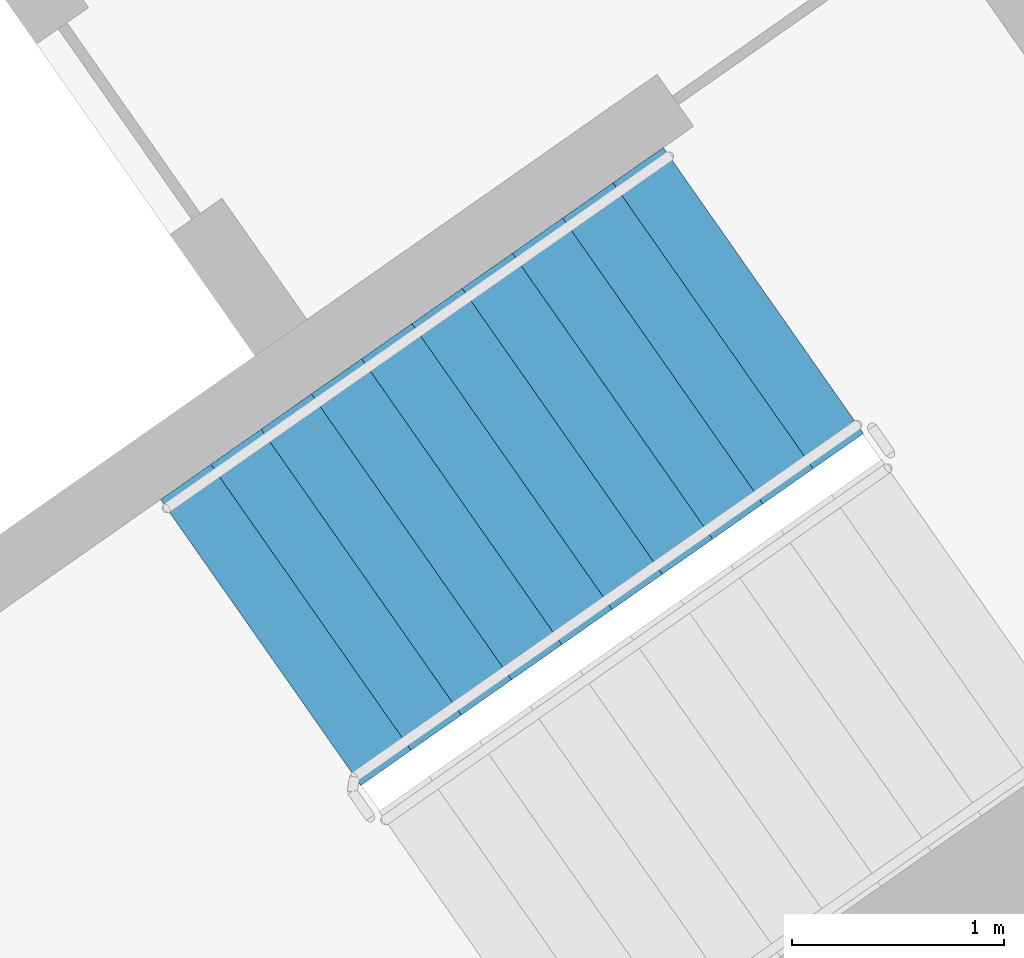
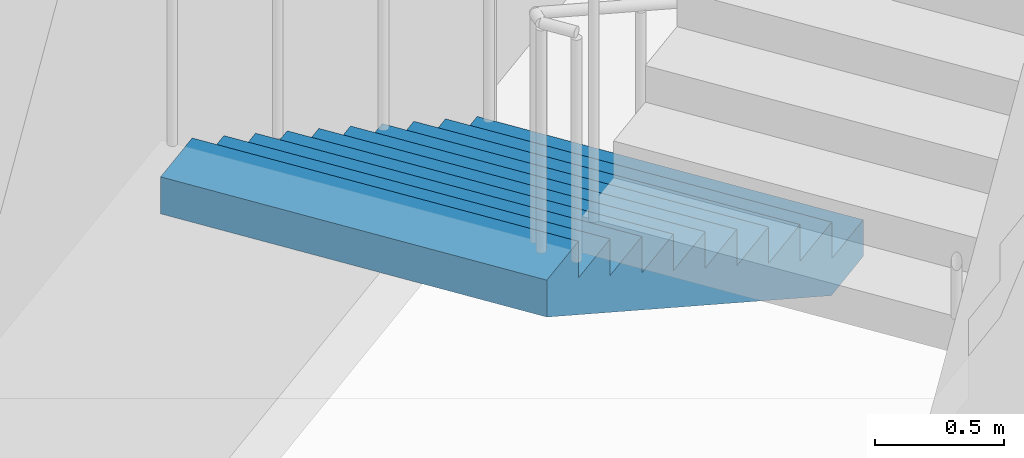
# One storey, part 15 of 31: 1 stair flight, 1 element without a shape of its own.
"""IFC4 building model written with IfcOpenShell, lengths in metres."""

import ifcopenshell
import ifcopenshell.guid

model = None  # the IFC model being written
_history = None  # IfcOwnerHistory: only IFC2X3 demands one
_inside = {}  # id of a spatial element -> (the spatial element, [elements in it])
_under = {}  # id of a project, library or spatial element -> (it, [spatial elements below it])
_declared = {}  # id of a project -> (the project, [libraries it declares])
_typed = {}  # id of a type object -> (the type object, [elements of that type])
_made_of = {}  # id of a material, layer set ... -> (it, [elements and type objects made of it])


def new_model(schema):
    """Start an empty IFC model of exactly this schema.

    Asked for "IFC4X3", IfcOpenShell would pick the latest addendum, in which some entities
    have other attributes; the version numbers below select the first issue.
    IFC2X3 requires an IfcOwnerHistory on every rooted entity: one is made here for all.
    """
    global model, _history
    if schema == "IFC4X3":
        model = ifcopenshell.file(schema_version=(4, 3, 0, 0))
    else:
        model = ifcopenshell.file(schema=schema)
    _inside.clear()
    _under.clear()
    _declared.clear()
    _typed.clear()
    _made_of.clear()
    _history = None
    if model.schema == "IFC2X3":
        org = make("IfcOrganization", Name="unknown")
        user = make(
            "IfcPersonAndOrganization",
            ThePerson=make("IfcPerson", FamilyName="unknown"),
            TheOrganization=org,
        )
        app = make(
            "IfcApplication",
            ApplicationDeveloper=org,
            Version="unknown",
            ApplicationFullName="unknown",
            ApplicationIdentifier="unknown",
        )
        _history = make(
            "IfcOwnerHistory",
            OwningUser=user,
            OwningApplication=app,
            ChangeAction="ADDED",
            CreationDate=0,
        )
    return model


def make(cls, **values):
    """One entity of the class cls with the attributes given. An attribute that is None is left unset."""
    return model.create_entity(
        cls, **{name: value for name, value in values.items() if value is not None}
    )


def rooted(cls, **values):
    """An entity with a GlobalId (a new one), such as an element, a storey or a relation."""
    return make(cls, GlobalId=ifcopenshell.guid.new(), OwnerHistory=_history, **values)


def si_unit(unit_type, name, prefix=None):
    """IfcSIUnit, for example si_unit("LENGTHUNIT", "METRE", prefix="MILLI")."""
    return make("IfcSIUnit", UnitType=unit_type, Prefix=prefix, Name=name)


def assignment(units):
    """IfcUnitAssignment: the units of a project."""
    return None if units is None else make("IfcUnitAssignment", Units=units)


def point(xyz):
    """IfcCartesianPoint."""
    return None if xyz is None else make("IfcCartesianPoint", Coordinates=xyz)


def direction(xyz):
    """IfcDirection."""
    return None if xyz is None else make("IfcDirection", DirectionRatios=xyz)


def frame(location, z_axis=None, x_axis=None):
    """IfcAxis2Placement3D, a coordinate frame: its origin and axes. An axis left out is left unset."""
    return make(
        "IfcAxis2Placement3D",
        Location=point(location),
        Axis=direction(z_axis),
        RefDirection=direction(x_axis),
    )


def origin():
    """The frame at (0, 0, 0) with its axes left unset."""
    return frame((0.0, 0.0, 0.0))


def place(relative_to, where):
    """IfcLocalPlacement: puts the frame where relative to a parent placement (None: the world)."""
    return make(
        "IfcLocalPlacement", PlacementRelTo=relative_to, RelativePlacement=where
    )


def context(
    kind, dimensions, precision=None, world=None, true_north=None, identifier=None
):
    """IfcGeometricRepresentationContext, for example the 3D "Model" context."""
    return make(
        "IfcGeometricRepresentationContext",
        ContextIdentifier=identifier,
        ContextType=kind,
        CoordinateSpaceDimension=dimensions,
        Precision=precision,
        WorldCoordinateSystem=world,
        TrueNorth=true_north,
    )


def subcontext(parent, identifier, kind, view, scale=None):
    """IfcGeometricRepresentationSubContext, for example "Body" below "Model"."""
    return make(
        "IfcGeometricRepresentationSubContext",
        ContextIdentifier=identifier,
        ContextType=kind,
        ParentContext=parent,
        TargetScale=scale,
        TargetView=view,
    )


def project(units=None, contexts=None):
    """IfcProject with its units and contexts."""
    return rooted(
        "IfcProject",
        Name="project",
        RepresentationContexts=contexts,
        UnitsInContext=assignment(units),
    )


def spatial(cls, under=None, at=None, **own):
    """A site, building, storey or space (cls), placed at a placement, below another one or the project."""
    s = rooted(cls, ObjectPlacement=at, **own)
    if under is not None:
        _under.setdefault(under.id(), (under, []))[1].append(s)
    return s


def faces_of(points, faces, orient=None, outer=None):
    """IfcFace entities. A face is a list of loops; a loop is a list of indices into points, from 0.

    orient and outer hold one flag for each loop. By default every Orientation is true, the
    first loop of a face is its IfcFaceOuterBound and the others are IfcFaceBound.
    """
    made = []
    for i, loops in enumerate(faces):
        bounds = []
        for j, loop in enumerate(loops):
            is_outer = j == 0 if outer is None else outer[i][j]
            bounds.append(
                make(
                    "IfcFaceOuterBound" if is_outer else "IfcFaceBound",
                    Bound=make("IfcPolyLoop", Polygon=[points[k] for k in loop]),
                    Orientation=True if orient is None else orient[i][j],
                )
            )
        made.append(make("IfcFace", Bounds=bounds))
    return made


def faceted_brep(points, faces, orient=None, outer=None, voids=None):
    """IfcFacetedBrep: a solid bounded by flat faces; with voids (closed shells), ...WithVoids."""
    shared = [point(p) for p in points]
    hull = make("IfcClosedShell", CfsFaces=faces_of(shared, faces, orient, outer))
    if voids is None:
        return make("IfcFacetedBrep", Outer=hull)
    return make(
        "IfcFacetedBrepWithVoids",
        Outer=hull,
        Voids=[
            make(cls, CfsFaces=faces_of(shared, fs, o, b)) for cls, fs, o, b in voids
        ],
    )


def shape(context_of_items, identifier, shape_type, items):
    """IfcShapeRepresentation: the items that make up one representation, for example the "Body"."""
    return make(
        "IfcShapeRepresentation",
        ContextOfItems=context_of_items,
        RepresentationIdentifier=identifier,
        RepresentationType=shape_type,
        Items=items,
    )


def material(Name=None, Category=None):
    """IfcMaterial."""
    return make("IfcMaterial", Name=Name, Category=Category)


def made_of(thing, what):
    """Note that an element or type object is made of a material, layer set ...; save() writes the relation."""
    if what is not None:
        _made_of.setdefault(what.id(), (what, []))[1].append(thing)
    return thing


def type_object(cls, material=None, **own):
    """A type object (cls), such as IfcWallType, which elements share."""
    return made_of(rooted(cls, **own), material)


def element(
    cls,
    number,
    at=None,
    inside=None,
    cuts=None,
    type_object=None,
    material=None,
    context=None,
    identifier="Body",
    shape_type=None,
    held_by="IfcProductDefinitionShape",
    body=None,
    shapes=None,
    **own,
):
    """One element of the class cls, such as IfcWall. Its Tag is "e" and its number.

    at: its placement. inside: the storey or other place that contains it. cuts: it is an
    opening in that element (IfcRelVoidsElement). A single representation is given by context,
    identifier, shape_type and body (its items); several are given by shapes. held_by: the class
    of the entity that holds the representations. save() writes the other relations.
    """
    e = rooted(cls, Tag="e%d" % number, ObjectPlacement=at, **own)
    if body is not None:
        shapes = [shape(context, identifier, shape_type, body)]
    if shapes is not None:
        e.Representation = make(held_by, Representations=shapes)
    if inside is not None:
        _inside.setdefault(inside.id(), (inside, []))[1].append(e)
    if cuts is not None:
        rooted(
            "IfcRelVoidsElement", RelatingBuildingElement=cuts, RelatedOpeningElement=e
        )
    if type_object is not None:
        _typed.setdefault(type_object.id(), (type_object, []))[1].append(e)
    return made_of(e, material)


def aggregate(whole, parts):
    """IfcRelAggregates: a whole, such as a stair, and the parts it consists of."""
    return rooted("IfcRelAggregates", RelatingObject=whole, RelatedObjects=parts)


def save(model, path):
    """Write the relations noted so far, then the file.

    IfcRelAggregates (storeys below a building ...), IfcRelContainedInSpatialStructure (elements
    in a storey), IfcRelDefinesByType, IfcRelAssociatesMaterial and IfcRelDeclares: one each for
    every whole, place, type object, material and project.
    """
    for whole, parts in _under.values():
        aggregate(whole, parts)
    for where, things in _inside.values():
        rooted(
            "IfcRelContainedInSpatialStructure",
            RelatedElements=things,
            RelatingStructure=where,
        )
    for kind, things in _typed.values():
        rooted("IfcRelDefinesByType", RelatedObjects=things, RelatingType=kind)
    for what, things in _made_of.values():
        rooted("IfcRelAssociatesMaterial", RelatedObjects=things, RelatingMaterial=what)
    for by, libraries in _declared.values():
        rooted("IfcRelDeclares", RelatingContext=by, RelatedDefinitions=libraries)
    model.write(path)


model = new_model("IFC4")

# Units and contexts
model_context = context("Model", 3, precision=1e-05, world=origin(), true_north=direction((0.0, 1.0)))
body_context = subcontext(model_context, "Body", "Model", "MODEL_VIEW")
ifc_project = project(units=[si_unit("LENGTHUNIT", "METRE"), si_unit("AREAUNIT", "SQUARE_METRE"), si_unit("VOLUMEUNIT", "CUBIC_METRE"), si_unit("PLANEANGLEUNIT", "RADIAN"), si_unit("MASSUNIT", "GRAM", prefix="KILO")], contexts=[model_context])

# Site, building, storey
site_placement = place(None, origin())
site = spatial("IfcSite", under=ifc_project, at=site_placement, CompositionType="ELEMENT")
building_placement = place(site_placement, origin())
building = spatial("IfcBuilding", under=site, at=building_placement, Name="Qamariyya Broadcast Tower", CompositionType="ELEMENT")
storey_placement = place(building_placement, frame((0.0, 0.0, 149.300048828125)))
storey = spatial("IfcBuildingStorey", under=building, at=storey_placement, Name="L34", CompositionType="ELEMENT", Elevation=149.300048828125)

# Stair, stair flight
ifc_material = material(Name="Concrete C50/60", Category="concrete")
stair_type = type_object("IfcStairType", Name="Exit stair 22 risers of 173 mm", PredefinedType="HALF_TURN_STAIR", material=ifc_material)
stair_placement = place(storey_placement, origin())
stair = element("IfcStair", 1, at=stair_placement, inside=storey, type_object=stair_type, Name="L34 Stair E1", PredefinedType="HALF_TURN_STAIR")
stair_flight_type = type_object("IfcStairFlightType", Name="Exit stair flight 11 risers of 173 mm", PredefinedType="STRAIGHT", material=ifc_material)
stair_flight_placement = place(storey_placement, frame((46.036376953125, -55.508056640625, 0.0), z_axis=(0.0, 0.0, 1.0), x_axis=(-0.819152044289, -0.573576436351, 0.0)))
stair_flight = element("IfcStairFlight", 2, at=stair_flight_placement, type_object=stair_flight_type, Name="ST-E1 flight 1", NumberOfRisers=11, NumberOfTreads=10, PredefinedType="STRAIGHT", RiserHeight=0.172727273, TreadLength=0.29, context=body_context, shape_type="Brep", body=[
    faceted_brep([(0.0, 0.824951171875, 0.0), (0.0, 0.824951171875, 0.172607421875), (0.2900390625, 0.824951171875, 0.172607421875), (0.2900390625, 0.824951171875, 0.345458984375), (0.580078125, 0.824951171875, 0.345458984375), (0.580078125, 0.824951171875, 0.51806640625), (0.8701171875, 0.824951171875, 0.51806640625), (0.8701171875, 0.824951171875, 0.69091796875), (1.159912109375, 0.824951171875, 0.69091796875), (1.159912109375, 0.824951171875, 0.863525390625), (1.449951171875, 0.824951171875, 0.863525390625), (1.449951171875, 0.824951171875, 1.036376953125), (1.739990234375, 0.824951171875, 1.036376953125), (1.739990234375, 0.824951171875, 1.208984375), (2.030029296875, 0.824951171875, 1.208984375), (2.030029296875, 0.824951171875, 1.3818359375), (2.320068359375, 0.824951171875, 1.3818359375), (2.320068359375, 0.824951171875, 1.554443359375), (2.610107421875, 0.824951171875, 1.554443359375), (2.610107421875, 0.824951171875, 1.727294921875), (2.89990234375, 0.824951171875, 1.727294921875), (2.89990234375, 0.824951171875, 1.552734375), (0.29296875, 0.824951171875, 0.0), (0.29296875, -0.824951171875, 0.0), (2.89990234375, -0.824951171875, 1.552734375), (2.89990234375, -0.824951171875, 1.727294921875), (2.610107421875, -0.824951171875, 1.727294921875), (2.610107421875, -0.824951171875, 1.554443359375), (2.320068359375, -0.824951171875, 1.554443359375), (2.320068359375, -0.824951171875, 1.3818359375), (2.030029296875, -0.824951171875, 1.3818359375), (2.030029296875, -0.824951171875, 1.208984375), (1.739990234375, -0.824951171875, 1.208984375), (1.739990234375, -0.824951171875, 1.036376953125), (1.449951171875, -0.824951171875, 1.036376953125), (1.449951171875, -0.824951171875, 0.863525390625), (1.159912109375, -0.824951171875, 0.863525390625), (1.159912109375, -0.824951171875, 0.69091796875), (0.8701171875, -0.824951171875, 0.69091796875), (0.8701171875, -0.824951171875, 0.51806640625), (0.580078125, -0.824951171875, 0.51806640625), (0.580078125, -0.824951171875, 0.345458984375), (0.2900390625, -0.824951171875, 0.345458984375), (0.2900390625, -0.824951171875, 0.172607421875), (0.0, -0.824951171875, 0.172607421875), (0.0, -0.824951171875, 0.0), (0.0, 0.10009765625, 0.0), (0.0, 0.086669921875, 0.0), (0.0, 0.0732421875, 0.0), (0.0, 0.06005859375, 0.0), (0.0, 0.046630859375, 0.0), (0.0, 0.033447265625, 0.0), (0.0, 0.02001953125, 0.0), (0.0, 0.006591796875, 0.0), (0.0, -0.006591796875, 0.0), (0.0, -0.02001953125, 0.0), (0.0, -0.033447265625, 0.0), (0.0, -0.046630859375, 0.0), (0.0, -0.06005859375, 0.0), (0.0, -0.0732421875, 0.0), (0.0, -0.086669921875, 0.0), (0.0, -0.10009765625, 0.0), (0.0, -0.10009765625, 0.172607421875), (0.0, -0.086669921875, 0.172607421875), (0.0, -0.0732421875, 0.172607421875), (0.0, -0.06005859375, 0.172607421875), (0.0, -0.046630859375, 0.172607421875), (0.0, -0.033447265625, 0.172607421875), (0.0, -0.02001953125, 0.172607421875), (0.0, -0.006591796875, 0.172607421875), (0.0, 0.006591796875, 0.172607421875), (0.0, 0.02001953125, 0.172607421875), (0.0, 0.033447265625, 0.172607421875), (0.0, 0.046630859375, 0.172607421875), (0.0, 0.06005859375, 0.172607421875), (0.0, 0.0732421875, 0.172607421875), (0.0, 0.086669921875, 0.172607421875), (0.0, 0.10009765625, 0.172607421875), (0.2900390625, -0.10009765625, 0.172607421875), (0.2900390625, -0.086669921875, 0.172607421875), (0.2900390625, -0.0732421875, 0.172607421875), (0.2900390625, -0.06005859375, 0.172607421875), (0.2900390625, -0.046630859375, 0.172607421875), (0.2900390625, -0.033447265625, 0.172607421875), (0.2900390625, -0.02001953125, 0.172607421875), (0.2900390625, -0.006591796875, 0.172607421875), (0.2900390625, 0.006591796875, 0.172607421875), (0.2900390625, 0.02001953125, 0.172607421875), (0.2900390625, 0.033447265625, 0.172607421875), (0.2900390625, 0.046630859375, 0.172607421875), (0.2900390625, 0.06005859375, 0.172607421875), (0.2900390625, 0.0732421875, 0.172607421875), (0.2900390625, 0.086669921875, 0.172607421875), (0.2900390625, 0.10009765625, 0.172607421875), (0.2900390625, -0.10009765625, 0.345458984375), (0.2900390625, -0.086669921875, 0.345458984375), (0.2900390625, -0.0732421875, 0.345458984375), (0.2900390625, -0.06005859375, 0.345458984375), (0.2900390625, -0.046630859375, 0.345458984375), (0.2900390625, -0.033447265625, 0.345458984375), (0.2900390625, -0.02001953125, 0.345458984375), (0.2900390625, -0.006591796875, 0.345458984375), (0.2900390625, 0.006591796875, 0.345458984375), (0.2900390625, 0.02001953125, 0.345458984375), (0.2900390625, 0.033447265625, 0.345458984375), (0.2900390625, 0.046630859375, 0.345458984375), (0.2900390625, 0.06005859375, 0.345458984375), (0.2900390625, 0.0732421875, 0.345458984375), (0.2900390625, 0.086669921875, 0.345458984375), (0.2900390625, 0.10009765625, 0.345458984375), (0.580078125, -0.10009765625, 0.345458984375), (0.580078125, -0.086669921875, 0.345458984375), (0.580078125, -0.0732421875, 0.345458984375), (0.580078125, -0.06005859375, 0.345458984375), (0.580078125, -0.046630859375, 0.345458984375), (0.580078125, -0.033447265625, 0.345458984375), (0.580078125, -0.02001953125, 0.345458984375), (0.580078125, -0.006591796875, 0.345458984375), (0.580078125, 0.006591796875, 0.345458984375), (0.580078125, 0.02001953125, 0.345458984375), (0.580078125, 0.033447265625, 0.345458984375), (0.580078125, 0.046630859375, 0.345458984375), (0.580078125, 0.06005859375, 0.345458984375), (0.580078125, 0.0732421875, 0.345458984375), (0.580078125, 0.086669921875, 0.345458984375), (0.580078125, 0.10009765625, 0.345458984375), (0.580078125, -0.10009765625, 0.51806640625), (0.580078125, -0.086669921875, 0.51806640625), (0.580078125, -0.0732421875, 0.51806640625), (0.580078125, -0.06005859375, 0.51806640625), (0.580078125, -0.046630859375, 0.51806640625), (0.580078125, -0.033447265625, 0.51806640625), (0.580078125, -0.02001953125, 0.51806640625), (0.580078125, -0.006591796875, 0.51806640625), (0.580078125, 0.006591796875, 0.51806640625), (0.580078125, 0.02001953125, 0.51806640625), (0.580078125, 0.033447265625, 0.51806640625), (0.580078125, 0.046630859375, 0.51806640625), (0.580078125, 0.06005859375, 0.51806640625), (0.580078125, 0.0732421875, 0.51806640625), (0.580078125, 0.086669921875, 0.51806640625), (0.580078125, 0.10009765625, 0.51806640625), (0.8701171875, -0.10009765625, 0.51806640625), (0.8701171875, -0.086669921875, 0.51806640625), (0.8701171875, -0.0732421875, 0.51806640625), (0.8701171875, -0.06005859375, 0.51806640625), (0.8701171875, -0.046630859375, 0.51806640625), (0.8701171875, -0.033447265625, 0.51806640625), (0.8701171875, -0.02001953125, 0.51806640625), (0.8701171875, -0.006591796875, 0.51806640625), (0.8701171875, 0.006591796875, 0.51806640625), (0.8701171875, 0.02001953125, 0.51806640625), (0.8701171875, 0.033447265625, 0.51806640625), (0.8701171875, 0.046630859375, 0.51806640625), (0.8701171875, 0.06005859375, 0.51806640625), (0.8701171875, 0.0732421875, 0.51806640625), (0.8701171875, 0.086669921875, 0.51806640625), (0.8701171875, 0.10009765625, 0.51806640625), (0.8701171875, -0.10009765625, 0.69091796875), (0.8701171875, -0.086669921875, 0.69091796875), (0.8701171875, -0.0732421875, 0.69091796875), (0.8701171875, -0.06005859375, 0.69091796875), (0.8701171875, -0.046630859375, 0.69091796875), (0.8701171875, -0.033447265625, 0.69091796875), (0.8701171875, -0.02001953125, 0.69091796875), (0.8701171875, -0.006591796875, 0.69091796875), (0.8701171875, 0.006591796875, 0.69091796875), (0.8701171875, 0.02001953125, 0.69091796875), (0.8701171875, 0.033447265625, 0.69091796875), (0.8701171875, 0.046630859375, 0.69091796875), (0.8701171875, 0.06005859375, 0.69091796875), (0.8701171875, 0.0732421875, 0.69091796875), (0.8701171875, 0.086669921875, 0.69091796875), (0.8701171875, 0.10009765625, 0.69091796875), (1.159912109375, -0.10009765625, 0.69091796875), (1.159912109375, -0.086669921875, 0.69091796875), (1.159912109375, -0.0732421875, 0.69091796875), (1.159912109375, -0.06005859375, 0.69091796875), (1.159912109375, -0.046630859375, 0.69091796875), (1.159912109375, -0.033447265625, 0.69091796875), (1.159912109375, -0.02001953125, 0.69091796875), (1.159912109375, -0.006591796875, 0.69091796875), (1.159912109375, 0.006591796875, 0.69091796875), (1.159912109375, 0.02001953125, 0.69091796875), (1.159912109375, 0.033447265625, 0.69091796875), (1.159912109375, 0.046630859375, 0.69091796875), (1.159912109375, 0.06005859375, 0.69091796875), (1.159912109375, 0.0732421875, 0.69091796875), (1.159912109375, 0.086669921875, 0.69091796875), (1.159912109375, 0.10009765625, 0.69091796875), (1.159912109375, -0.10009765625, 0.863525390625), (1.159912109375, -0.086669921875, 0.863525390625), (1.159912109375, -0.0732421875, 0.863525390625), (1.159912109375, -0.06005859375, 0.863525390625), (1.159912109375, -0.046630859375, 0.863525390625), (1.159912109375, -0.033447265625, 0.863525390625), (1.159912109375, -0.02001953125, 0.863525390625), (1.159912109375, -0.006591796875, 0.863525390625), (1.159912109375, 0.006591796875, 0.863525390625), (1.159912109375, 0.02001953125, 0.863525390625), (1.159912109375, 0.033447265625, 0.863525390625), (1.159912109375, 0.046630859375, 0.863525390625), (1.159912109375, 0.06005859375, 0.863525390625), (1.159912109375, 0.0732421875, 0.863525390625), (1.159912109375, 0.086669921875, 0.863525390625), (1.159912109375, 0.10009765625, 0.863525390625), (1.449951171875, -0.10009765625, 0.863525390625), (1.449951171875, -0.086669921875, 0.863525390625), (1.449951171875, -0.0732421875, 0.863525390625), (1.449951171875, -0.06005859375, 0.863525390625), (1.449951171875, -0.046630859375, 0.863525390625), (1.449951171875, -0.033447265625, 0.863525390625), (1.449951171875, -0.02001953125, 0.863525390625), (1.449951171875, -0.006591796875, 0.863525390625), (1.449951171875, 0.006591796875, 0.863525390625), (1.449951171875, 0.02001953125, 0.863525390625), (1.449951171875, 0.033447265625, 0.863525390625), (1.449951171875, 0.046630859375, 0.863525390625), (1.449951171875, 0.06005859375, 0.863525390625), (1.449951171875, 0.0732421875, 0.863525390625), (1.449951171875, 0.086669921875, 0.863525390625), (1.449951171875, 0.10009765625, 0.863525390625), (1.449951171875, -0.10009765625, 1.036376953125), (1.449951171875, -0.086669921875, 1.036376953125), (1.449951171875, -0.0732421875, 1.036376953125), (1.449951171875, -0.06005859375, 1.036376953125), (1.449951171875, -0.046630859375, 1.036376953125), (1.449951171875, -0.033447265625, 1.036376953125), (1.449951171875, -0.02001953125, 1.036376953125), (1.449951171875, -0.006591796875, 1.036376953125), (1.449951171875, 0.006591796875, 1.036376953125), (1.449951171875, 0.02001953125, 1.036376953125), (1.449951171875, 0.033447265625, 1.036376953125), (1.449951171875, 0.046630859375, 1.036376953125), (1.449951171875, 0.06005859375, 1.036376953125), (1.449951171875, 0.0732421875, 1.036376953125), (1.449951171875, 0.086669921875, 1.036376953125), (1.449951171875, 0.10009765625, 1.036376953125), (1.739990234375, -0.10009765625, 1.036376953125), (1.739990234375, -0.086669921875, 1.036376953125), (1.739990234375, -0.0732421875, 1.036376953125), (1.739990234375, -0.06005859375, 1.036376953125), (1.739990234375, -0.046630859375, 1.036376953125), (1.739990234375, -0.033447265625, 1.036376953125), (1.739990234375, -0.02001953125, 1.036376953125), (1.739990234375, -0.006591796875, 1.036376953125), (1.739990234375, 0.006591796875, 1.036376953125), (1.739990234375, 0.02001953125, 1.036376953125), (1.739990234375, 0.033447265625, 1.036376953125), (1.739990234375, 0.046630859375, 1.036376953125), (1.739990234375, 0.06005859375, 1.036376953125), (1.739990234375, 0.0732421875, 1.036376953125), (1.739990234375, 0.086669921875, 1.036376953125), (1.739990234375, 0.10009765625, 1.036376953125), (1.739990234375, -0.10009765625, 1.208984375), (1.739990234375, -0.086669921875, 1.208984375), (1.739990234375, -0.0732421875, 1.208984375), (1.739990234375, -0.06005859375, 1.208984375), (1.739990234375, -0.046630859375, 1.208984375), (1.739990234375, -0.033447265625, 1.208984375), (1.739990234375, -0.02001953125, 1.208984375), (1.739990234375, -0.006591796875, 1.208984375), (1.739990234375, 0.006591796875, 1.208984375), (1.739990234375, 0.02001953125, 1.208984375), (1.739990234375, 0.033447265625, 1.208984375), (1.739990234375, 0.046630859375, 1.208984375), (1.739990234375, 0.06005859375, 1.208984375), (1.739990234375, 0.0732421875, 1.208984375), (1.739990234375, 0.086669921875, 1.208984375), (1.739990234375, 0.10009765625, 1.208984375), (2.030029296875, -0.10009765625, 1.208984375), (2.030029296875, -0.086669921875, 1.208984375), (2.030029296875, -0.0732421875, 1.208984375), (2.030029296875, -0.06005859375, 1.208984375), (2.030029296875, -0.046630859375, 1.208984375), (2.030029296875, -0.033447265625, 1.208984375), (2.030029296875, -0.02001953125, 1.208984375), (2.030029296875, -0.006591796875, 1.208984375), (2.030029296875, 0.006591796875, 1.208984375), (2.030029296875, 0.02001953125, 1.208984375), (2.030029296875, 0.033447265625, 1.208984375), (2.030029296875, 0.046630859375, 1.208984375), (2.030029296875, 0.06005859375, 1.208984375), (2.030029296875, 0.0732421875, 1.208984375), (2.030029296875, 0.086669921875, 1.208984375), (2.030029296875, 0.10009765625, 1.208984375), (2.030029296875, -0.10009765625, 1.3818359375), (2.030029296875, -0.086669921875, 1.3818359375), (2.030029296875, -0.0732421875, 1.3818359375), (2.030029296875, -0.06005859375, 1.3818359375), (2.030029296875, -0.046630859375, 1.3818359375), (2.030029296875, -0.033447265625, 1.3818359375), (2.030029296875, -0.02001953125, 1.3818359375), (2.030029296875, -0.006591796875, 1.3818359375), (2.030029296875, 0.006591796875, 1.3818359375), (2.030029296875, 0.02001953125, 1.3818359375), (2.030029296875, 0.033447265625, 1.3818359375), (2.030029296875, 0.046630859375, 1.3818359375), (2.030029296875, 0.06005859375, 1.3818359375), (2.030029296875, 0.0732421875, 1.3818359375), (2.030029296875, 0.086669921875, 1.3818359375), (2.030029296875, 0.10009765625, 1.3818359375), (2.320068359375, -0.10009765625, 1.3818359375), (2.320068359375, -0.086669921875, 1.3818359375), (2.320068359375, -0.0732421875, 1.3818359375), (2.320068359375, -0.06005859375, 1.3818359375), (2.320068359375, -0.046630859375, 1.3818359375), (2.320068359375, -0.033447265625, 1.3818359375), (2.320068359375, -0.02001953125, 1.3818359375), (2.320068359375, -0.006591796875, 1.3818359375), (2.320068359375, 0.006591796875, 1.3818359375), (2.320068359375, 0.02001953125, 1.3818359375), (2.320068359375, 0.033447265625, 1.3818359375), (2.320068359375, 0.046630859375, 1.3818359375), (2.320068359375, 0.06005859375, 1.3818359375), (2.320068359375, 0.0732421875, 1.3818359375), (2.320068359375, 0.086669921875, 1.3818359375), (2.320068359375, 0.10009765625, 1.3818359375), (2.320068359375, -0.10009765625, 1.554443359375), (2.320068359375, -0.086669921875, 1.554443359375), (2.320068359375, -0.0732421875, 1.554443359375), (2.320068359375, -0.06005859375, 1.554443359375), (2.320068359375, -0.046630859375, 1.554443359375), (2.320068359375, -0.033447265625, 1.554443359375), (2.320068359375, -0.02001953125, 1.554443359375), (2.320068359375, -0.006591796875, 1.554443359375), (2.320068359375, 0.006591796875, 1.554443359375), (2.320068359375, 0.02001953125, 1.554443359375), (2.320068359375, 0.033447265625, 1.554443359375), (2.320068359375, 0.046630859375, 1.554443359375), (2.320068359375, 0.06005859375, 1.554443359375), (2.320068359375, 0.0732421875, 1.554443359375), (2.320068359375, 0.086669921875, 1.554443359375), (2.320068359375, 0.10009765625, 1.554443359375), (2.610107421875, -0.10009765625, 1.554443359375), (2.610107421875, -0.086669921875, 1.554443359375), (2.610107421875, -0.0732421875, 1.554443359375), (2.610107421875, -0.06005859375, 1.554443359375), (2.610107421875, -0.046630859375, 1.554443359375), (2.610107421875, -0.033447265625, 1.554443359375), (2.610107421875, -0.02001953125, 1.554443359375), (2.610107421875, -0.006591796875, 1.554443359375), (2.610107421875, 0.006591796875, 1.554443359375), (2.610107421875, 0.02001953125, 1.554443359375), (2.610107421875, 0.033447265625, 1.554443359375), (2.610107421875, 0.046630859375, 1.554443359375), (2.610107421875, 0.06005859375, 1.554443359375), (2.610107421875, 0.0732421875, 1.554443359375), (2.610107421875, 0.086669921875, 1.554443359375), (2.610107421875, 0.10009765625, 1.554443359375), (2.610107421875, -0.10009765625, 1.727294921875), (2.610107421875, -0.086669921875, 1.727294921875), (2.610107421875, -0.0732421875, 1.727294921875), (2.610107421875, -0.06005859375, 1.727294921875), (2.610107421875, -0.046630859375, 1.727294921875), (2.610107421875, -0.033447265625, 1.727294921875), (2.610107421875, -0.02001953125, 1.727294921875), (2.610107421875, -0.006591796875, 1.727294921875), (2.610107421875, 0.006591796875, 1.727294921875), (2.610107421875, 0.02001953125, 1.727294921875), (2.610107421875, 0.033447265625, 1.727294921875), (2.610107421875, 0.046630859375, 1.727294921875), (2.610107421875, 0.06005859375, 1.727294921875), (2.610107421875, 0.0732421875, 1.727294921875), (2.610107421875, 0.086669921875, 1.727294921875), (2.610107421875, 0.10009765625, 1.727294921875), (2.89990234375, -0.10009765625, 1.727294921875), (2.89990234375, -0.086669921875, 1.727294921875), (2.89990234375, -0.0732421875, 1.727294921875), (2.89990234375, -0.06005859375, 1.727294921875), (2.89990234375, -0.046630859375, 1.727294921875), (2.89990234375, -0.033447265625, 1.727294921875), (2.89990234375, -0.02001953125, 1.727294921875), (2.89990234375, -0.006591796875, 1.727294921875), (2.89990234375, 0.006591796875, 1.727294921875), (2.89990234375, 0.02001953125, 1.727294921875), (2.89990234375, 0.033447265625, 1.727294921875), (2.89990234375, 0.046630859375, 1.727294921875), (2.89990234375, 0.06005859375, 1.727294921875), (2.89990234375, 0.0732421875, 1.727294921875), (2.89990234375, 0.086669921875, 1.727294921875), (2.89990234375, 0.10009765625, 1.727294921875), (2.89990234375, -0.10009765625, 1.552734375), (2.89990234375, -0.086669921875, 1.552734375), (2.89990234375, -0.0732421875, 1.552734375), (2.89990234375, -0.06005859375, 1.552734375), (2.89990234375, -0.046630859375, 1.552734375), (2.89990234375, -0.033447265625, 1.552734375), (2.89990234375, -0.02001953125, 1.552734375), (2.89990234375, -0.006591796875, 1.552734375), (2.89990234375, 0.006591796875, 1.552734375), (2.89990234375, 0.02001953125, 1.552734375), (2.89990234375, 0.033447265625, 1.552734375), (2.89990234375, 0.046630859375, 1.552734375), (2.89990234375, 0.06005859375, 1.552734375), (2.89990234375, 0.0732421875, 1.552734375), (2.89990234375, 0.086669921875, 1.552734375), (2.89990234375, 0.10009765625, 1.552734375), (0.29296875, -0.10009765625, 0.0), (0.29296875, -0.086669921875, 0.0), (0.29296875, -0.0732421875, 0.0), (0.29296875, -0.06005859375, 0.0), (0.29296875, -0.046630859375, 0.0), (0.29296875, -0.033447265625, 0.0), (0.29296875, -0.02001953125, 0.0), (0.29296875, -0.006591796875, 0.0), (0.29296875, 0.006591796875, 0.0), (0.29296875, 0.02001953125, 0.0), (0.29296875, 0.033447265625, 0.0), (0.29296875, 0.046630859375, 0.0), (0.29296875, 0.06005859375, 0.0), (0.29296875, 0.0732421875, 0.0), (0.29296875, 0.086669921875, 0.0), (0.29296875, 0.10009765625, 0.0)], [[[0, 1, 2, 3, 4, 5, 6, 7, 8, 9, 10, 11, 12, 13, 14, 15, 16, 17, 18, 19, 20, 21, 22]], [[23, 24, 25, 26, 27, 28, 29, 30, 31, 32, 33, 34, 35, 36, 37, 38, 39, 40, 41, 42, 43, 44, 45]], [[0, 46, 47, 48, 49, 50, 51, 52, 53, 54, 55, 56, 57, 58, 59, 60, 61, 45, 44, 62, 63, 64, 65, 66, 67, 68, 69, 70, 71, 72, 73, 74, 75, 76, 77, 1]], [[1, 77, 76, 75, 74, 73, 72, 71, 70, 69, 68, 67, 66, 65, 64, 63, 62, 44, 43, 78, 79, 80, 81, 82, 83, 84, 85, 86, 87, 88, 89, 90, 91, 92, 93, 2]], [[2, 93, 92, 91, 90, 89, 88, 87, 86, 85, 84, 83, 82, 81, 80, 79, 78, 43, 42, 94, 95, 96, 97, 98, 99, 100, 101, 102, 103, 104, 105, 106, 107, 108, 109, 3]], [[3, 109, 108, 107, 106, 105, 104, 103, 102, 101, 100, 99, 98, 97, 96, 95, 94, 42, 41, 110, 111, 112, 113, 114, 115, 116, 117, 118, 119, 120, 121, 122, 123, 124, 125, 4]], [[4, 125, 124, 123, 122, 121, 120, 119, 118, 117, 116, 115, 114, 113, 112, 111, 110, 41, 40, 126, 127, 128, 129, 130, 131, 132, 133, 134, 135, 136, 137, 138, 139, 140, 141, 5]], [[5, 141, 140, 139, 138, 137, 136, 135, 134, 133, 132, 131, 130, 129, 128, 127, 126, 40, 39, 142, 143, 144, 145, 146, 147, 148, 149, 150, 151, 152, 153, 154, 155, 156, 157, 6]], [[6, 157, 156, 155, 154, 153, 152, 151, 150, 149, 148, 147, 146, 145, 144, 143, 142, 39, 38, 158, 159, 160, 161, 162, 163, 164, 165, 166, 167, 168, 169, 170, 171, 172, 173, 7]], [[7, 173, 172, 171, 170, 169, 168, 167, 166, 165, 164, 163, 162, 161, 160, 159, 158, 38, 37, 174, 175, 176, 177, 178, 179, 180, 181, 182, 183, 184, 185, 186, 187, 188, 189, 8]], [[8, 189, 188, 187, 186, 185, 184, 183, 182, 181, 180, 179, 178, 177, 176, 175, 174, 37, 36, 190, 191, 192, 193, 194, 195, 196, 197, 198, 199, 200, 201, 202, 203, 204, 205, 9]], [[9, 205, 204, 203, 202, 201, 200, 199, 198, 197, 196, 195, 194, 193, 192, 191, 190, 36, 35, 206, 207, 208, 209, 210, 211, 212, 213, 214, 215, 216, 217, 218, 219, 220, 221, 10]], [[10, 221, 220, 219, 218, 217, 216, 215, 214, 213, 212, 211, 210, 209, 208, 207, 206, 35, 34, 222, 223, 224, 225, 226, 227, 228, 229, 230, 231, 232, 233, 234, 235, 236, 237, 11]], [[11, 237, 236, 235, 234, 233, 232, 231, 230, 229, 228, 227, 226, 225, 224, 223, 222, 34, 33, 238, 239, 240, 241, 242, 243, 244, 245, 246, 247, 248, 249, 250, 251, 252, 253, 12]], [[12, 253, 252, 251, 250, 249, 248, 247, 246, 245, 244, 243, 242, 241, 240, 239, 238, 33, 32, 254, 255, 256, 257, 258, 259, 260, 261, 262, 263, 264, 265, 266, 267, 268, 269, 13]], [[13, 269, 268, 267, 266, 265, 264, 263, 262, 261, 260, 259, 258, 257, 256, 255, 254, 32, 31, 270, 271, 272, 273, 274, 275, 276, 277, 278, 279, 280, 281, 282, 283, 284, 285, 14]], [[14, 285, 284, 283, 282, 281, 280, 279, 278, 277, 276, 275, 274, 273, 272, 271, 270, 31, 30, 286, 287, 288, 289, 290, 291, 292, 293, 294, 295, 296, 297, 298, 299, 300, 301, 15]], [[15, 301, 300, 299, 298, 297, 296, 295, 294, 293, 292, 291, 290, 289, 288, 287, 286, 30, 29, 302, 303, 304, 305, 306, 307, 308, 309, 310, 311, 312, 313, 314, 315, 316, 317, 16]], [[16, 317, 316, 315, 314, 313, 312, 311, 310, 309, 308, 307, 306, 305, 304, 303, 302, 29, 28, 318, 319, 320, 321, 322, 323, 324, 325, 326, 327, 328, 329, 330, 331, 332, 333, 17]], [[17, 333, 332, 331, 330, 329, 328, 327, 326, 325, 324, 323, 322, 321, 320, 319, 318, 28, 27, 334, 335, 336, 337, 338, 339, 340, 341, 342, 343, 344, 345, 346, 347, 348, 349, 18]], [[18, 349, 348, 347, 346, 345, 344, 343, 342, 341, 340, 339, 338, 337, 336, 335, 334, 27, 26, 350, 351, 352, 353, 354, 355, 356, 357, 358, 359, 360, 361, 362, 363, 364, 365, 19]], [[19, 365, 364, 363, 362, 361, 360, 359, 358, 357, 356, 355, 354, 353, 352, 351, 350, 26, 25, 366, 367, 368, 369, 370, 371, 372, 373, 374, 375, 376, 377, 378, 379, 380, 381, 20]], [[20, 381, 380, 379, 378, 377, 376, 375, 374, 373, 372, 371, 370, 369, 368, 367, 366, 25, 24, 382, 383, 384, 385, 386, 387, 388, 389, 390, 391, 392, 393, 394, 395, 396, 397, 21]], [[21, 397, 396, 395, 394, 393, 392, 391, 390, 389, 388, 387, 386, 385, 384, 383, 382, 24, 23, 398, 399, 400, 401, 402, 403, 404, 405, 406, 407, 408, 409, 410, 411, 412, 413, 22]], [[22, 413, 412, 411, 410, 409, 408, 407, 406, 405, 404, 403, 402, 401, 400, 399, 398, 23, 45, 61, 60, 59, 58, 57, 56, 55, 54, 53, 52, 51, 50, 49, 48, 47, 46, 0]]]),
])
aggregate(stair, [stair_flight])

save(model, "model.ifc")
